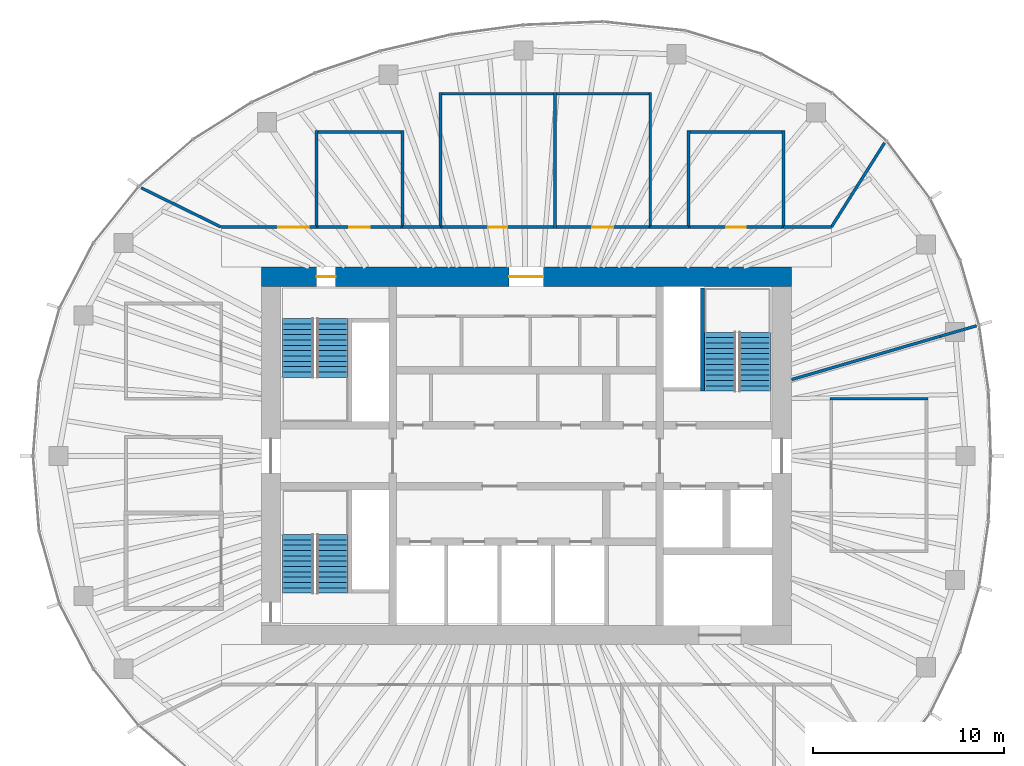
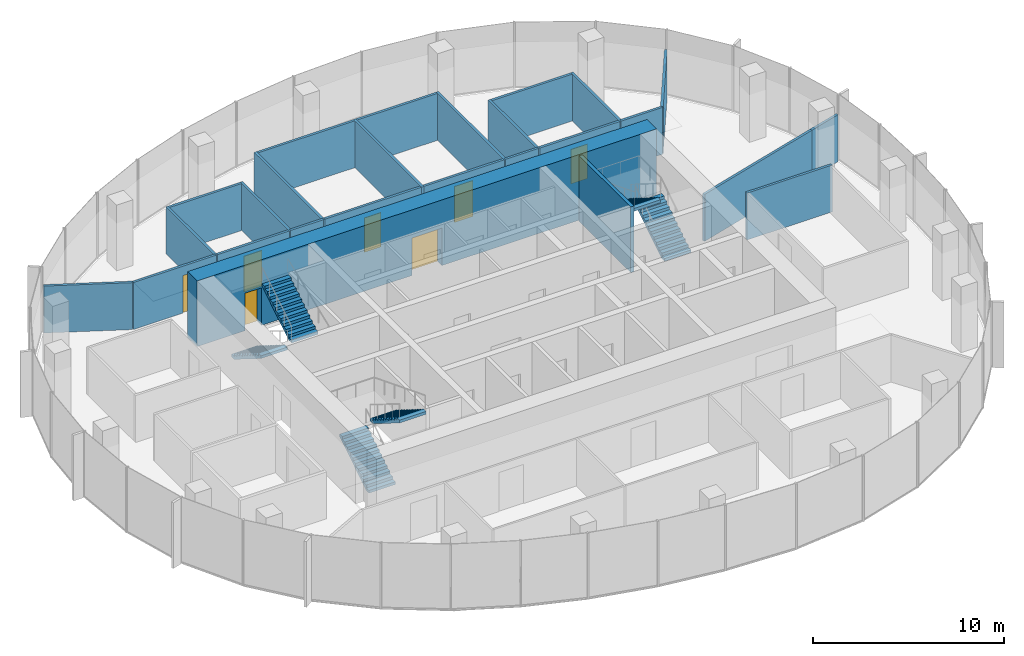
# One storey, part 10 of 11: 26 walls, 7 doors, 6 stair flights, 7 openings, 3 elements without a shape of their own.
"""IFC4 building model written with IfcOpenShell, lengths in metres."""

from ifc_helpers import new_model, si_unit, direction, frame, frame_2d, origin, place, context, subcontext, project, spatial, polyline, rectangle, outline, extrude, material, layer, layer_set, type_object, element, fill, aggregate, save


model = new_model("IFC4")

# Units and contexts
model_context = context("Model", 3, precision=1e-05, world=origin(), true_north=direction((0.0, 1.0)))
body_context = subcontext(model_context, "Body", "Model", "MODEL_VIEW")
ifc_project = project(units=[si_unit("LENGTHUNIT", "METRE"), si_unit("AREAUNIT", "SQUARE_METRE"), si_unit("VOLUMEUNIT", "CUBIC_METRE"), si_unit("PLANEANGLEUNIT", "RADIAN"), si_unit("MASSUNIT", "GRAM", prefix="KILO")], contexts=[model_context])

# Site, building, storey
site_placement = place(None, origin())
site = spatial("IfcSite", under=ifc_project, at=site_placement, CompositionType="ELEMENT")
building_placement = place(site_placement, origin())
building = spatial("IfcBuilding", under=site, at=building_placement, Name="Ghaith Harvest Tower", CompositionType="ELEMENT")
storey_placement = place(building_placement, frame((0.0, 0.0, 313.199951171875)))
storey = spatial("IfcBuildingStorey", under=building, at=storey_placement, Name="L70", CompositionType="ELEMENT", Elevation=313.199951171875)

# Wall, openings, doors
ifc_material_1 = material(Name="Concrete C50/60", Category="concrete")
ifc_layer_1 = layer(ifc_material_1, 1.0)
ifc_layer_set_1 = layer_set([ifc_layer_1], Name="CORE WALL CW1000")
wall_type_1 = type_object("IfcWallType", Name="CORE WALL CW1000", PredefinedType="SHEAR", material=ifc_layer_set_1)
wall_1_placement = place(storey_placement, frame((13.89990234375, 9.39990234375, 0.0), z_axis=(0.0, 0.0, 1.0), x_axis=(-1.0, 0.0, 0.0)))
wall_1 = element("IfcWall", 1, at=wall_1_placement, inside=storey, type_object=wall_type_1, Name="Core wall N L70", PredefinedType="SHEAR", context=body_context, shape_type="SweptSolid", body=[
    extrude(rectangle(XDim=27.7998046875, YDim=1.0, at=frame_2d((13.89990234375, 0.0))), origin(), (0.0, 0.0, 1.0), 4.199951171875),
])
opening_1_placement = place(wall_1_placement, frame((23.89990234375, 0.0, 0.0)))
opening_1 = element("IfcOpeningElement", 2, at=opening_1_placement, cuts=wall_1, Name="Opening 70-005", PredefinedType="OPENING", context=body_context, shape_type="SweptSolid", body=[
    extrude(rectangle(XDim=1.0, YDim=2.39990234375, at=frame_2d((0.5, 1.199951171875))), frame((0.0, 0.510009765625, 0.0), z_axis=(0.0, -1.0, 0.0), x_axis=(1.0, 0.0, 0.0)), (0.0, 0.0, 1.0), 1.02001953125),
])
opening_2_placement = place(wall_1_placement, frame((13.0, 0.0, 0.0)))
opening_2 = element("IfcOpeningElement", 3, at=opening_2_placement, cuts=wall_1, Name="Opening 70-019", PredefinedType="OPENING", context=body_context, shape_type="SweptSolid", body=[
    extrude(rectangle(XDim=1.800048828125, YDim=2.39990234375, at=frame_2d((0.89990234375, 1.199951171875))), frame((0.0, 0.510009765625, 0.0), z_axis=(0.0, -1.0, 0.0), x_axis=(1.0, 0.0, 0.0)), (0.0, 0.0, 1.0), 1.02001953125),
])
ifc_material_2 = material(Name="Steel fire door", Category="steel")
door_type_1 = type_object("IfcDoorType", Name="D3 FD90 1000x2400", OperationType="SINGLE_SWING_LEFT", PredefinedType="DOOR", material=ifc_material_2)
door_1_placement = place(opening_1_placement, origin())
door_1 = element("IfcDoor", 4, at=door_1_placement, inside=storey, type_object=door_type_1, Name="Stair ST1 door", OperationType="SINGLE_SWING_RIGHT", OverallHeight=2.39990234375, OverallWidth=1.0, PredefinedType="DOOR", context=body_context, shape_type="SweptSolid", body=[
    extrude(rectangle(XDim=1.0, YDim=2.39990234375, at=frame_2d((0.5, 1.199951171875))), frame((0.0, 0.02490234375, 0.0), z_axis=(0.0, -1.0, 0.0), x_axis=(1.0, 0.0, 0.0)), (0.0, 0.0, 1.0), 0.050048828125),
])
fill(opening_1, door_1)
ifc_material_3 = material(Name="Steel fire door", Category="steel")
door_type_2 = type_object("IfcDoorType", Name="D4 FD90 PAIR 1800x2400", OperationType="DOUBLE_DOOR_SINGLE_SWING", PredefinedType="DOOR", material=ifc_material_3)
door_2_placement = place(opening_2_placement, origin())
door_2 = element("IfcDoor", 5, at=door_2_placement, inside=storey, type_object=door_type_2, Name="Core service corridor doors", OperationType="DOUBLE_DOOR_SINGLE_SWING", OverallHeight=2.39990234375, OverallWidth=1.800048828125, PredefinedType="DOOR", context=body_context, shape_type="SweptSolid", body=[
    extrude(rectangle(XDim=1.800048828125, YDim=2.39990234375, at=frame_2d((0.89990234375, 1.199951171875))), frame((0.0, 0.02490234375, 0.0), z_axis=(0.0, -1.0, 0.0), x_axis=(1.0, 0.0, 0.0)), (0.0, 0.0, 1.0), 0.050048828125),
])
fill(opening_2, door_2)

# Walls
ifc_material_4 = material(Name="Gypsum board on steel studs", Category="steel")
ifc_layer_2 = layer(ifc_material_4, 0.14990234375)
ifc_layer_set_2 = layer_set([ifc_layer_2], Name="PARTITION 150")
wall_type_2 = type_object("IfcWallType", Name="PARTITION 150", PredefinedType="PARTITIONING", material=ifc_layer_set_2)
for number, where, z_axis, x_axis, name in (
    (6, (-4.5, 11.925048828125, 0.0), (0.0, 0.0, 1.0), (0.0, 1.0, 0.0), "Partition L70 row N1 cross wall 1"),
    (7, (1.5, 11.925048828125, 0.0), (0.0, 0.0, 1.0), (0.0, 1.0, 0.0), "Partition L70 row N1 cross wall 2"),
    (8, (6.5, 11.925048828125, 0.0), (0.0, 0.0, 1.0), (0.0, 1.0, 0.0), "Partition L70 row N1 cross wall 3"),
):
    element("IfcWall", number, at=place(storey_placement, frame(where, z_axis=z_axis, x_axis=x_axis)), inside=storey, type_object=wall_type_2, Name=name, PredefinedType="PARTITIONING", context=body_context, shape_type="SweptSolid", body=[
        extrude(rectangle(XDim=7.14990234375, YDim=0.14990234375, at=frame_2d((3.574951171875, 0.0))), origin(), (0.0, 0.0, 1.0), 3.0),
    ])

# Wall, opening, door
wall_2_placement = place(storey_placement, frame((-4.425048828125, 12.0, 0.0), z_axis=(0.0, 0.0, 1.0), x_axis=(1.0, 0.0, 0.0)))
wall_2 = element("IfcWall", 9, at=wall_2_placement, inside=storey, type_object=wall_type_2, Name="Partition L70-01", PredefinedType="PARTITIONING", context=body_context, shape_type="SweptSolid", body=[
    extrude(rectangle(XDim=5.85009765625, YDim=0.14990234375, at=frame_2d((2.925048828125, 0.0))), origin(), (0.0, 0.0, 1.0), 3.0),
])
opening_3_placement = place(wall_2_placement, frame((2.425048828125, 0.0, 0.0)))
opening_3 = element("IfcOpeningElement", 10, at=opening_3_placement, cuts=wall_2, Name="Opening 70-027", PredefinedType="OPENING", context=body_context, shape_type="SweptSolid", body=[
    extrude(rectangle(XDim=1.0, YDim=2.199951171875, at=frame_2d((0.5, 1.10009765625))), frame((0.0, 0.0849609375, 0.0), z_axis=(0.0, -1.0, 0.0), x_axis=(1.0, 0.0, 0.0)), (0.0, 0.0, 1.0), 0.169921875),
])
ifc_material_5 = material(Name="Timber door", Category="wood")
door_type_3 = type_object("IfcDoorType", Name="D1 SINGLE 1000x2200", OperationType="SINGLE_SWING_LEFT", PredefinedType="DOOR", material=ifc_material_5)
door_3_placement = place(opening_3_placement, origin())
door_3 = element("IfcDoor", 11, at=door_3_placement, inside=storey, type_object=door_type_3, Name="Pollinator room door", OperationType="SINGLE_SWING_LEFT", OverallHeight=2.199951171875, OverallWidth=1.0, PredefinedType="DOOR", context=body_context, shape_type="SweptSolid", body=[
    extrude(rectangle(XDim=1.0, YDim=2.199951171875, at=frame_2d((0.5, 1.10009765625))), frame((0.0, 0.02490234375, 0.0), z_axis=(0.0, -1.0, 0.0), x_axis=(1.0, 0.0, 0.0)), (0.0, 0.0, 1.0), 0.050048828125),
])
fill(opening_3, door_3)

# Wall
wall_3_placement = place(storey_placement, frame((-4.425048828125, 19.0, 0.0), z_axis=(0.0, 0.0, 1.0), x_axis=(1.0, 0.0, 0.0)))
element("IfcWall", 12, at=wall_3_placement, inside=storey, type_object=wall_type_2, Name="Partition L70-01", PredefinedType="PARTITIONING", context=body_context, shape_type="SweptSolid", body=[
    extrude(rectangle(XDim=5.85009765625, YDim=0.14990234375, at=frame_2d((2.925048828125, 0.0))), origin(), (0.0, 0.0, 1.0), 3.0),
])

# Wall, opening, door
wall_4_placement = place(storey_placement, frame((1.574951171875, 12.0, 0.0), z_axis=(0.0, 0.0, 1.0), x_axis=(1.0, 0.0, 0.0)))
wall_4 = element("IfcWall", 13, at=wall_4_placement, inside=storey, type_object=wall_type_2, Name="Partition L70-02", PredefinedType="PARTITIONING", context=body_context, shape_type="SweptSolid", body=[
    extrude(rectangle(XDim=4.85009765625, YDim=0.14990234375, at=frame_2d((2.425048828125, 0.0))), origin(), (0.0, 0.0, 1.0), 3.0),
])
opening_4_placement = place(wall_4_placement, frame((1.875, 0.0, 0.0)))
opening_4 = element("IfcOpeningElement", 14, at=opening_4_placement, cuts=wall_4, Name="Opening 70-028", PredefinedType="OPENING", context=body_context, shape_type="SweptSolid", body=[
    extrude(rectangle(XDim=1.10009765625, YDim=2.300048828125, at=frame_2d((0.550048828125, 1.14990234375))), frame((0.0, 0.0849609375, 0.0), z_axis=(0.0, -1.0, 0.0), x_axis=(1.0, 0.0, 0.0)), (0.0, 0.0, 1.0), 0.169921875),
])
ifc_material_6 = material(Name="Timber-framed glazed door", Category="wood")
door_type_4 = type_object("IfcDoorType", Name="D12 GLAZED OFFICE 1100x2300", OperationType="SINGLE_SWING_LEFT", PredefinedType="DOOR", material=ifc_material_6)
door_4_placement = place(opening_4_placement, origin())
door_4 = element("IfcDoor", 15, at=door_4_placement, inside=storey, type_object=door_type_4, Name="Crop office door", OperationType="SINGLE_SWING_LEFT", OverallHeight=2.300048828125, OverallWidth=1.10009765625, PredefinedType="DOOR", context=body_context, shape_type="SweptSolid", body=[
    extrude(rectangle(XDim=1.10009765625, YDim=2.300048828125, at=frame_2d((0.550048828125, 1.14990234375))), frame((0.0, 0.02490234375, 0.0), z_axis=(0.0, -1.0, 0.0), x_axis=(1.0, 0.0, 0.0)), (0.0, 0.0, 1.0), 0.050048828125),
])
fill(opening_4, door_4)

# Walls
wall_5_placement = place(storey_placement, frame((1.574951171875, 19.0, 0.0), z_axis=(0.0, 0.0, 1.0), x_axis=(1.0, 0.0, 0.0)))
element("IfcWall", 16, at=wall_5_placement, inside=storey, type_object=wall_type_2, Name="Partition L70-02", PredefinedType="PARTITIONING", context=body_context, shape_type="SweptSolid", body=[
    extrude(rectangle(XDim=4.85009765625, YDim=0.14990234375, at=frame_2d((2.425048828125, 0.0))), origin(), (0.0, 0.0, 1.0), 3.0),
])
for number, where, z_axis, x_axis, name in (
    (17, (15.925048828125, 3.0, 0.0), (0.0, 0.0, 1.0), (1.0, 0.0, 0.0), "Partition L70 row E5 cross wall 2"),
    (18, (-11.0, 11.925048828125, 0.0), (0.0, 0.0, 1.0), (0.0, 1.0, 0.0), "Partition L70 row N6 cross wall 1"),
    (19, (-6.5, 11.925048828125, 0.0), (0.0, 0.0, 1.0), (0.0, 1.0, 0.0), "Partition L70 row N6 cross wall 2"),
):
    element("IfcWall", number, at=place(storey_placement, frame(where, z_axis=z_axis, x_axis=x_axis)), inside=storey, type_object=wall_type_2, Name=name, PredefinedType="PARTITIONING", context=body_context, shape_type="SweptSolid", body=[
        extrude(rectangle(XDim=5.14990234375, YDim=0.14990234375, at=frame_2d((2.574951171875, 0.0))), origin(), (0.0, 0.0, 1.0), 3.0),
    ])

# Wall, opening, door
wall_6_placement = place(storey_placement, frame((-10.925048828125, 12.0, 0.0), z_axis=(0.0, 0.0, 1.0), x_axis=(1.0, 0.0, 0.0)))
wall_6 = element("IfcWall", 20, at=wall_6_placement, inside=storey, type_object=wall_type_2, Name="Partition L70-09", PredefinedType="PARTITIONING", context=body_context, shape_type="SweptSolid", body=[
    extrude(rectangle(XDim=4.35009765625, YDim=0.14990234375, at=frame_2d((2.175048828125, 0.0))), origin(), (0.0, 0.0, 1.0), 3.0),
])
opening_5_placement = place(wall_6_placement, frame((1.625, 0.0, 0.0)))
opening_5 = element("IfcOpeningElement", 21, at=opening_5_placement, cuts=wall_6, Name="Opening 70-035", PredefinedType="OPENING", context=body_context, shape_type="SweptSolid", body=[
    extrude(rectangle(XDim=1.10009765625, YDim=2.300048828125, at=frame_2d((0.550048828125, 1.14990234375))), frame((0.0, 0.0849609375, 0.0), z_axis=(0.0, -1.0, 0.0), x_axis=(1.0, 0.0, 0.0)), (0.0, 0.0, 1.0), 0.169921875),
])
door_5_placement = place(opening_5_placement, origin())
door_5 = element("IfcDoor", 22, at=door_5_placement, inside=storey, type_object=door_type_4, Name="Office door", OperationType="SINGLE_SWING_LEFT", OverallHeight=2.300048828125, OverallWidth=1.10009765625, PredefinedType="DOOR", context=body_context, shape_type="SweptSolid", body=[
    extrude(rectangle(XDim=1.10009765625, YDim=2.300048828125, at=frame_2d((0.550048828125, 1.14990234375))), frame((0.0, 0.02490234375, 0.0), z_axis=(0.0, -1.0, 0.0), x_axis=(1.0, 0.0, 0.0)), (0.0, 0.0, 1.0), 0.050048828125),
])
fill(opening_5, door_5)

# Walls
wall_7_placement = place(storey_placement, frame((-10.925048828125, 17.0, 0.0), z_axis=(0.0, 0.0, 1.0), x_axis=(1.0, 0.0, 0.0)))
element("IfcWall", 23, at=wall_7_placement, inside=storey, type_object=wall_type_2, Name="Partition L70-09", PredefinedType="PARTITIONING", context=body_context, shape_type="SweptSolid", body=[
    extrude(rectangle(XDim=4.35009765625, YDim=0.14990234375, at=frame_2d((2.175048828125, 0.0))), origin(), (0.0, 0.0, 1.0), 3.0),
])
for number, where, z_axis, x_axis, name in (
    (24, (8.5, 11.925048828125, 0.0), (0.0, 0.0, 1.0), (0.0, 1.0, 0.0), "Partition L70 row N7 cross wall 1"),
    (25, (13.5, 11.925048828125, 0.0), (0.0, 0.0, 1.0), (0.0, 1.0, 0.0), "Partition L70 row N7 cross wall 2"),
):
    element("IfcWall", number, at=place(storey_placement, frame(where, z_axis=z_axis, x_axis=x_axis)), inside=storey, type_object=wall_type_2, Name=name, PredefinedType="PARTITIONING", context=body_context, shape_type="SweptSolid", body=[
        extrude(rectangle(XDim=5.14990234375, YDim=0.14990234375, at=frame_2d((2.574951171875, 0.0))), origin(), (0.0, 0.0, 1.0), 3.0),
    ])

# Wall, opening, door
wall_8_placement = place(storey_placement, frame((8.574951171875, 12.0, 0.0), z_axis=(0.0, 0.0, 1.0), x_axis=(1.0, 0.0, 0.0)))
wall_8 = element("IfcWall", 26, at=wall_8_placement, inside=storey, type_object=wall_type_2, Name="Partition L70-10", PredefinedType="PARTITIONING", context=body_context, shape_type="SweptSolid", body=[
    extrude(rectangle(XDim=4.85009765625, YDim=0.14990234375, at=frame_2d((2.425048828125, 0.0))), origin(), (0.0, 0.0, 1.0), 3.0),
])
opening_6_placement = place(wall_8_placement, frame((1.925048828125, 0.0, 0.0)))
opening_6 = element("IfcOpeningElement", 27, at=opening_6_placement, cuts=wall_8, Name="Opening 70-036", PredefinedType="OPENING", context=body_context, shape_type="SweptSolid", body=[
    extrude(rectangle(XDim=1.0, YDim=2.199951171875, at=frame_2d((0.5, 1.10009765625))), frame((0.0, 0.0849609375, 0.0), z_axis=(0.0, -1.0, 0.0), x_axis=(1.0, 0.0, 0.0)), (0.0, 0.0, 1.0), 0.169921875),
])
door_6_placement = place(opening_6_placement, origin())
door_6 = element("IfcDoor", 28, at=door_6_placement, inside=storey, type_object=door_type_3, Name="Hive room door", OperationType="SINGLE_SWING_LEFT", OverallHeight=2.199951171875, OverallWidth=1.0, PredefinedType="DOOR", context=body_context, shape_type="SweptSolid", body=[
    extrude(rectangle(XDim=1.0, YDim=2.199951171875, at=frame_2d((0.5, 1.10009765625))), frame((0.0, 0.02490234375, 0.0), z_axis=(0.0, -1.0, 0.0), x_axis=(1.0, 0.0, 0.0)), (0.0, 0.0, 1.0), 0.050048828125),
])
fill(opening_6, door_6)

# Walls
wall_9_placement = place(storey_placement, frame((8.574951171875, 17.0, 0.0), z_axis=(0.0, 0.0, 1.0), x_axis=(1.0, 0.0, 0.0)))
element("IfcWall", 29, at=wall_9_placement, inside=storey, type_object=wall_type_2, Name="Partition L70-10", PredefinedType="PARTITIONING", context=body_context, shape_type="SweptSolid", body=[
    extrude(rectangle(XDim=4.85009765625, YDim=0.14990234375, at=frame_2d((2.425048828125, 0.0))), origin(), (0.0, 0.0, 1.0), 3.0),
])
wall_10_placement = place(storey_placement, frame((-16.017822265625, 12.0087890625, 0.0), z_axis=(0.0, 0.0, 1.0), x_axis=(-0.897771840996, 0.440460805879, 0.0)))
element("IfcWall", 30, at=wall_10_placement, inside=storey, type_object=wall_type_2, Name="Partition L70 zone division", PredefinedType="PARTITIONING", context=body_context, shape_type="SweptSolid", body=[
    extrude(rectangle(XDim=4.66552734375, YDim=0.14990234375, at=frame_2d((2.332763671875, 0.0))), origin(), (0.0, 0.0, 1.0), 3.0),
])
wall_11_placement = place(storey_placement, frame((16.0107421875, 12.016845703125, 0.0), z_axis=(0.0, 0.0, 1.0), x_axis=(0.53415837449, 0.845384427916, 0.0)))
element("IfcWall", 31, at=wall_11_placement, inside=storey, type_object=wall_type_2, Name="Partition L70 zone division", PredefinedType="PARTITIONING", context=body_context, shape_type="SweptSolid", body=[
    extrude(rectangle(XDim=5.220458984375, YDim=0.14990234375, at=frame_2d((2.6103515625, 0.0))), origin(), (0.0, 0.0, 1.0), 3.0),
])
wall_12_placement = place(storey_placement, frame((13.919921875, 4.005859375, 0.0), z_axis=(0.0, 0.0, 1.0), x_axis=(0.960105665242, 0.279637464534, 0.0)))
element("IfcWall", 32, at=wall_12_placement, inside=storey, type_object=wall_type_2, Name="Partition L70 zone division", PredefinedType="PARTITIONING", context=body_context, shape_type="SweptSolid", body=[
    extrude(rectangle(XDim=8.120361328125, YDim=0.14990234375, at=frame_2d((4.06005859375, 0.0))), origin(), (0.0, 0.0, 1.0), 3.0),
])
wall_13_placement = place(storey_placement, frame((21.71630859375, 6.276611328125, 0.0), z_axis=(0.0, 0.0, 1.0), x_axis=(0.960705414675, 0.277570002366, 0.0)))
element("IfcWall", 33, at=wall_13_placement, inside=storey, type_object=wall_type_2, Name="Partition L70 zone division", PredefinedType="PARTITIONING", context=body_context, shape_type="SweptSolid", body=[
    extrude(rectangle(XDim=1.97998046875, YDim=0.14990234375, at=frame_2d((0.989990234375, 0.0))), origin(), (0.0, 0.0, 1.0), 3.0),
])

# Wall, opening, door
wall_14_placement = place(storey_placement, frame((-11.0, 12.0, 0.0), z_axis=(0.0, 0.0, 1.0), x_axis=(-1.0, 0.0, 0.0)))
wall_14 = element("IfcWall", 34, at=wall_14_placement, inside=storey, type_object=wall_type_2, Name="Partition L70 zone enclosure", PredefinedType="PARTITIONING", context=body_context, shape_type="SweptSolid", body=[
    extrude(rectangle(XDim=5.0, YDim=0.14990234375, at=frame_2d((2.5, 0.0))), origin(), (0.0, 0.0, 1.0), 3.0),
])
opening_7_placement = place(wall_14_placement, frame((0.39990234375, 0.0, 0.0)))
opening_7 = element("IfcOpeningElement", 35, at=opening_7_placement, cuts=wall_14, Name="Opening 70-038", PredefinedType="OPENING", context=body_context, shape_type="SweptSolid", body=[
    extrude(rectangle(XDim=1.60009765625, YDim=2.39990234375, at=frame_2d((0.800048828125, 1.199951171875))), frame((0.0, 0.0849609375, 0.0), z_axis=(0.0, -1.0, 0.0), x_axis=(1.0, 0.0, 0.0)), (0.0, 0.0, 1.0), 0.169921875),
])
ifc_material_7 = material(Name="Timber door", Category="wood")
door_type_5 = type_object("IfcDoorType", Name="D2 PAIR 1600x2400", OperationType="DOUBLE_DOOR_SINGLE_SWING", PredefinedType="DOOR", material=ifc_material_7)
door_7_placement = place(opening_7_placement, origin())
door_7 = element("IfcDoor", 36, at=door_7_placement, inside=storey, type_object=door_type_5, Name="Berry growing area north door", OperationType="DOUBLE_DOOR_SINGLE_SWING", OverallHeight=2.39990234375, OverallWidth=1.60009765625, PredefinedType="DOOR", context=body_context, shape_type="SweptSolid", body=[
    extrude(rectangle(XDim=1.60009765625, YDim=2.39990234375, at=frame_2d((0.800048828125, 1.199951171875))), frame((0.0, 0.02490234375, 0.0), z_axis=(0.0, -1.0, 0.0), x_axis=(1.0, 0.0, 0.0)), (0.0, 0.0, 1.0), 0.050048828125),
])
fill(opening_7, door_7)

# Walls
for number, where, z_axis, x_axis, name in (
    (37, (-4.5, 12.0, 0.0), (0.0, 0.0, 1.0), (-1.0, 0.0, 0.0), "Partition L70 zone enclosure"),
    (38, (8.5, 12.0, 0.0), (0.0, 0.0, 1.0), (-1.0, 0.0, 0.0), "Partition L70 zone enclosure"),
):
    element("IfcWall", number, at=place(storey_placement, frame(where, z_axis=z_axis, x_axis=x_axis)), inside=storey, type_object=wall_type_2, Name=name, PredefinedType="PARTITIONING", context=body_context, shape_type="SweptSolid", body=[
        extrude(rectangle(XDim=2.0, YDim=0.14990234375, at=frame_2d((1.0, 0.0))), origin(), (0.0, 0.0, 1.0), 3.0),
    ])
wall_15_placement = place(storey_placement, frame((16.0, 12.0, 0.0), z_axis=(0.0, 0.0, 1.0), x_axis=(-1.0, 0.0, 0.0)))
element("IfcWall", 39, at=wall_15_placement, inside=storey, type_object=wall_type_2, Name="Partition L70 zone enclosure", PredefinedType="PARTITIONING", context=body_context, shape_type="SweptSolid", body=[
    extrude(rectangle(XDim=2.5, YDim=0.14990234375, at=frame_2d((1.25, 0.0))), origin(), (0.0, 0.0, 1.0), 3.0),
])
ifc_material_8 = material(Name="Concrete C40/50", Category="concrete")
ifc_layer_3 = layer(ifc_material_8, 0.199951171875)
ifc_layer_set_3 = layer_set([ifc_layer_3], Name="STAIR SPINE WALL RC200")
wall_type_3 = type_object("IfcWallType", Name="STAIR SPINE WALL RC200", PredefinedType="SOLIDWALL", material=ifc_layer_set_3)
wall_16_placement = place(storey_placement, frame((9.25, 3.39990234375, 0.0), z_axis=(0.0, 0.0, 1.0), x_axis=(0.0, 1.0, 0.0)))
element("IfcWall", 40, at=wall_16_placement, inside=storey, type_object=wall_type_3, Name="Stair ST2 spine wall L70", PredefinedType="SOLIDWALL", context=body_context, shape_type="SweptSolid", body=[
    extrude(rectangle(XDim=5.400146484375, YDim=0.199951171875, at=frame_2d((2.7001953125, 0.0))), origin(), (0.0, 0.0, 1.0), 4.199951171875),
])

# Stair, stair flights
ifc_material_9 = material(Name="Concrete C40/50, precast", Category="concrete")
stair_type = type_object("IfcStairType", Name="CORE STAIR 24R", PredefinedType="HALF_TURN_STAIR", material=ifc_material_9)
stair_1_placement = place(storey_placement, origin())
stair_1 = element("IfcStair", 41, at=stair_1_placement, inside=storey, type_object=stair_type, Name="Stair ST1 L70", PredefinedType="HALF_TURN_STAIR")
ifc_material_10 = material(Name="Concrete C40/50, precast", Category="concrete")
stair_flight_type = type_object("IfcStairFlightType", Name="CORE FLIGHT 12R 1600", PredefinedType="STRAIGHT", material=ifc_material_10)
stair_flight_1_placement = place(storey_placement, frame((-12.0, 7.199951171875, 0.0), z_axis=(0.0, 0.0, 1.0), x_axis=(0.0, -1.0, 0.0)))
stair_flight_1 = element("IfcStairFlight", 42, at=stair_flight_1_placement, type_object=stair_flight_type, Name="ST1 flight 1", NumberOfRisers=12, NumberOfTreads=11, PredefinedType="STRAIGHT", RiserHeight=0.175, TreadLength=0.28, context=body_context, shape_type="SweptSolid", body=[
    extrude(outline(polyline([(0.0, 0.0), (0.0, 0.175048828125), (0.280029296875, 0.175048828125), (0.280029296875, 0.35009765625), (0.56005859375, 0.35009765625), (0.56005859375, 0.52490234375), (0.840087890625, 0.52490234375), (0.840087890625, 0.699951171875), (1.1201171875, 0.699951171875), (1.1201171875, 0.875), (1.39990234375, 0.875), (1.39990234375, 1.050048828125), (1.679931640625, 1.050048828125), (1.679931640625, 1.22509765625), (1.9599609375, 1.22509765625), (1.9599609375, 1.39990234375), (2.239990234375, 1.39990234375), (2.239990234375, 1.574951171875), (2.52001953125, 1.574951171875), (2.52001953125, 1.75), (2.800048828125, 1.75), (2.800048828125, 1.925048828125), (3.080078125, 1.925048828125), (3.080078125, 2.10009765625), (3.080078125, 1.748291015625), (0.28271484375, 0.0), (0.0, 0.0)])), frame((0.0, 0.800048828125, 0.0), z_axis=(0.0, -1.0, 0.0), x_axis=(1.0, 0.0, 0.0)), (0.0, 0.0, 1.0), 1.60009765625),
])
stair_flight_2_placement = place(storey_placement, frame((-10.14990234375, 4.1201171875, 2.10009765625), z_axis=(0.0, 0.0, 1.0), x_axis=(0.0, 1.0, 0.0)))
stair_flight_2 = element("IfcStairFlight", 43, at=stair_flight_2_placement, type_object=stair_flight_type, Name="ST1 flight 2", NumberOfRisers=12, NumberOfTreads=11, PredefinedType="STRAIGHT", RiserHeight=0.175, TreadLength=0.28, context=body_context, shape_type="SweptSolid", body=[
    extrude(outline(polyline([(0.0, 0.0), (0.0, 0.175048828125), (0.280029296875, 0.175048828125), (0.280029296875, 0.35009765625), (0.56005859375, 0.35009765625), (0.56005859375, 0.52490234375), (0.840087890625, 0.52490234375), (0.840087890625, 0.699951171875), (1.1201171875, 0.699951171875), (1.1201171875, 0.875), (1.39990234375, 0.875), (1.39990234375, 1.050048828125), (1.679931640625, 1.050048828125), (1.679931640625, 1.22509765625), (1.9599609375, 1.22509765625), (1.9599609375, 1.39990234375), (2.239990234375, 1.39990234375), (2.239990234375, 1.574951171875), (2.52001953125, 1.574951171875), (2.52001953125, 1.75), (2.800048828125, 1.75), (2.800048828125, 1.925048828125), (3.080078125, 1.925048828125), (3.080078125, 2.10009765625), (3.080078125, 1.748291015625), (0.28271484375, 0.0), (0.0, 0.0)])), frame((0.0, 0.800048828125, 0.0), z_axis=(0.0, -1.0, 0.0), x_axis=(1.0, 0.0, 0.0)), (0.0, 0.0, 1.0), 1.60009765625),
])
aggregate(stair_1, [stair_flight_1, stair_flight_2])

stair_2_placement = place(storey_placement, origin())
stair_2 = element("IfcStair", 44, at=stair_2_placement, inside=storey, type_object=stair_type, Name="Stair ST3 L70", PredefinedType="HALF_TURN_STAIR")
stair_flight_3_placement = place(storey_placement, frame((-12.0, -7.199951171875, 0.0), z_axis=(0.0, 0.0, 1.0), x_axis=(0.0, 1.0, 0.0)))
stair_flight_3 = element("IfcStairFlight", 45, at=stair_flight_3_placement, type_object=stair_flight_type, Name="ST3 flight 1", NumberOfRisers=12, NumberOfTreads=11, PredefinedType="STRAIGHT", RiserHeight=0.175, TreadLength=0.28, context=body_context, shape_type="SweptSolid", body=[
    extrude(outline(polyline([(0.0, 0.0), (0.0, 0.175048828125), (0.280029296875, 0.175048828125), (0.280029296875, 0.35009765625), (0.56005859375, 0.35009765625), (0.56005859375, 0.52490234375), (0.840087890625, 0.52490234375), (0.840087890625, 0.699951171875), (1.1201171875, 0.699951171875), (1.1201171875, 0.875), (1.39990234375, 0.875), (1.39990234375, 1.050048828125), (1.679931640625, 1.050048828125), (1.679931640625, 1.22509765625), (1.9599609375, 1.22509765625), (1.9599609375, 1.39990234375), (2.239990234375, 1.39990234375), (2.239990234375, 1.574951171875), (2.52001953125, 1.574951171875), (2.52001953125, 1.75), (2.800048828125, 1.75), (2.800048828125, 1.925048828125), (3.080078125, 1.925048828125), (3.080078125, 2.10009765625), (3.080078125, 1.748291015625), (0.28271484375, 0.0), (0.0, 0.0)])), frame((0.0, 0.800048828125, 0.0), z_axis=(0.0, -1.0, 0.0), x_axis=(1.0, 0.0, 0.0)), (0.0, 0.0, 1.0), 1.60009765625),
])
stair_flight_4_placement = place(storey_placement, frame((-10.14990234375, -4.1201171875, 2.10009765625), z_axis=(0.0, 0.0, 1.0), x_axis=(0.0, -1.0, 0.0)))
stair_flight_4 = element("IfcStairFlight", 46, at=stair_flight_4_placement, type_object=stair_flight_type, Name="ST3 flight 2", NumberOfRisers=12, NumberOfTreads=11, PredefinedType="STRAIGHT", RiserHeight=0.175, TreadLength=0.28, context=body_context, shape_type="SweptSolid", body=[
    extrude(outline(polyline([(0.0, 0.0), (0.0, 0.175048828125), (0.280029296875, 0.175048828125), (0.280029296875, 0.35009765625), (0.56005859375, 0.35009765625), (0.56005859375, 0.52490234375), (0.840087890625, 0.52490234375), (0.840087890625, 0.699951171875), (1.1201171875, 0.699951171875), (1.1201171875, 0.875), (1.39990234375, 0.875), (1.39990234375, 1.050048828125), (1.679931640625, 1.050048828125), (1.679931640625, 1.22509765625), (1.9599609375, 1.22509765625), (1.9599609375, 1.39990234375), (2.239990234375, 1.39990234375), (2.239990234375, 1.574951171875), (2.52001953125, 1.574951171875), (2.52001953125, 1.75), (2.800048828125, 1.75), (2.800048828125, 1.925048828125), (3.080078125, 1.925048828125), (3.080078125, 2.10009765625), (3.080078125, 1.748291015625), (0.28271484375, 0.0), (0.0, 0.0)])), frame((0.0, 0.800048828125, 0.0), z_axis=(0.0, -1.0, 0.0), x_axis=(1.0, 0.0, 0.0)), (0.0, 0.0, 1.0), 1.60009765625),
])
aggregate(stair_2, [stair_flight_3, stair_flight_4])

stair_3_placement = place(storey_placement, origin())
stair_3 = element("IfcStair", 47, at=stair_3_placement, inside=storey, type_object=stair_type, Name="Stair ST2 L70", PredefinedType="HALF_TURN_STAIR")
stair_flight_5_placement = place(storey_placement, frame((12.0, 3.39990234375, 0.0), z_axis=(0.0, 0.0, 1.0), x_axis=(0.0, 1.0, 0.0)))
stair_flight_5 = element("IfcStairFlight", 48, at=stair_flight_5_placement, type_object=stair_flight_type, Name="ST2 flight 1", NumberOfRisers=12, NumberOfTreads=11, PredefinedType="STRAIGHT", RiserHeight=0.175, TreadLength=0.28, context=body_context, shape_type="SweptSolid", body=[
    extrude(outline(polyline([(0.0, 0.0), (0.0, 0.175048828125), (0.280029296875, 0.175048828125), (0.280029296875, 0.35009765625), (0.56005859375, 0.35009765625), (0.56005859375, 0.52490234375), (0.840087890625, 0.52490234375), (0.840087890625, 0.699951171875), (1.1201171875, 0.699951171875), (1.1201171875, 0.875), (1.39990234375, 0.875), (1.39990234375, 1.050048828125), (1.679931640625, 1.050048828125), (1.679931640625, 1.22509765625), (1.9599609375, 1.22509765625), (1.9599609375, 1.39990234375), (2.239990234375, 1.39990234375), (2.239990234375, 1.574951171875), (2.52001953125, 1.574951171875), (2.52001953125, 1.75), (2.800048828125, 1.75), (2.800048828125, 1.925048828125), (3.080078125, 1.925048828125), (3.080078125, 2.10009765625), (3.080078125, 1.748291015625), (0.28271484375, 0.0), (0.0, 0.0)])), frame((0.0, 0.800048828125, 0.0), z_axis=(0.0, -1.0, 0.0), x_axis=(1.0, 0.0, 0.0)), (0.0, 0.0, 1.0), 1.60009765625),
])
stair_flight_6_placement = place(storey_placement, frame((10.14990234375, 6.47998046875, 2.10009765625), z_axis=(0.0, 0.0, 1.0), x_axis=(0.0, -1.0, 0.0)))
stair_flight_6 = element("IfcStairFlight", 49, at=stair_flight_6_placement, type_object=stair_flight_type, Name="ST2 flight 2", NumberOfRisers=12, NumberOfTreads=11, PredefinedType="STRAIGHT", RiserHeight=0.175, TreadLength=0.28, context=body_context, shape_type="SweptSolid", body=[
    extrude(outline(polyline([(0.0, 0.0), (0.0, 0.175048828125), (0.280029296875, 0.175048828125), (0.280029296875, 0.35009765625), (0.56005859375, 0.35009765625), (0.56005859375, 0.52490234375), (0.840087890625, 0.52490234375), (0.840087890625, 0.699951171875), (1.1201171875, 0.699951171875), (1.1201171875, 0.875), (1.39990234375, 0.875), (1.39990234375, 1.050048828125), (1.679931640625, 1.050048828125), (1.679931640625, 1.22509765625), (1.9599609375, 1.22509765625), (1.9599609375, 1.39990234375), (2.239990234375, 1.39990234375), (2.239990234375, 1.574951171875), (2.52001953125, 1.574951171875), (2.52001953125, 1.75), (2.800048828125, 1.75), (2.800048828125, 1.925048828125), (3.080078125, 1.925048828125), (3.080078125, 2.10009765625), (3.080078125, 1.748291015625), (0.28271484375, 0.0), (0.0, 0.0)])), frame((0.0, 0.800048828125, 0.0), z_axis=(0.0, -1.0, 0.0), x_axis=(1.0, 0.0, 0.0)), (0.0, 0.0, 1.0), 1.60009765625),
])
aggregate(stair_3, [stair_flight_5, stair_flight_6])

save(model, "model.ifc")
